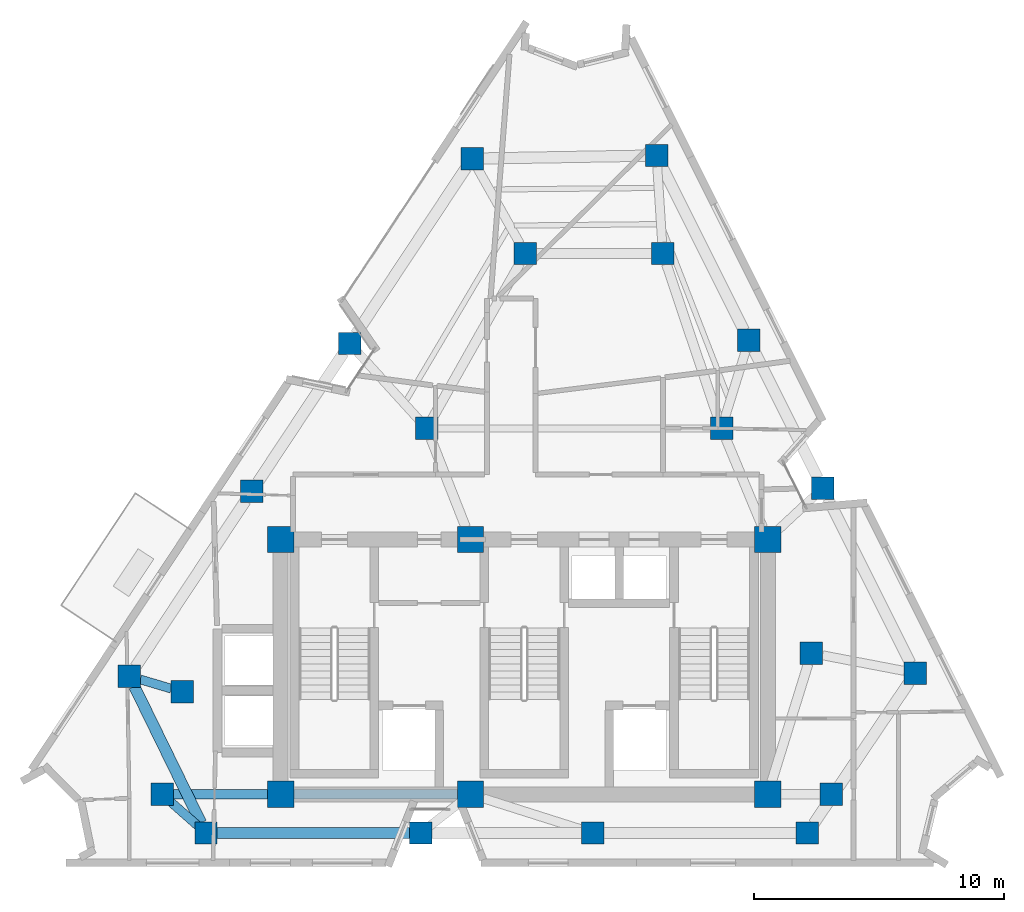
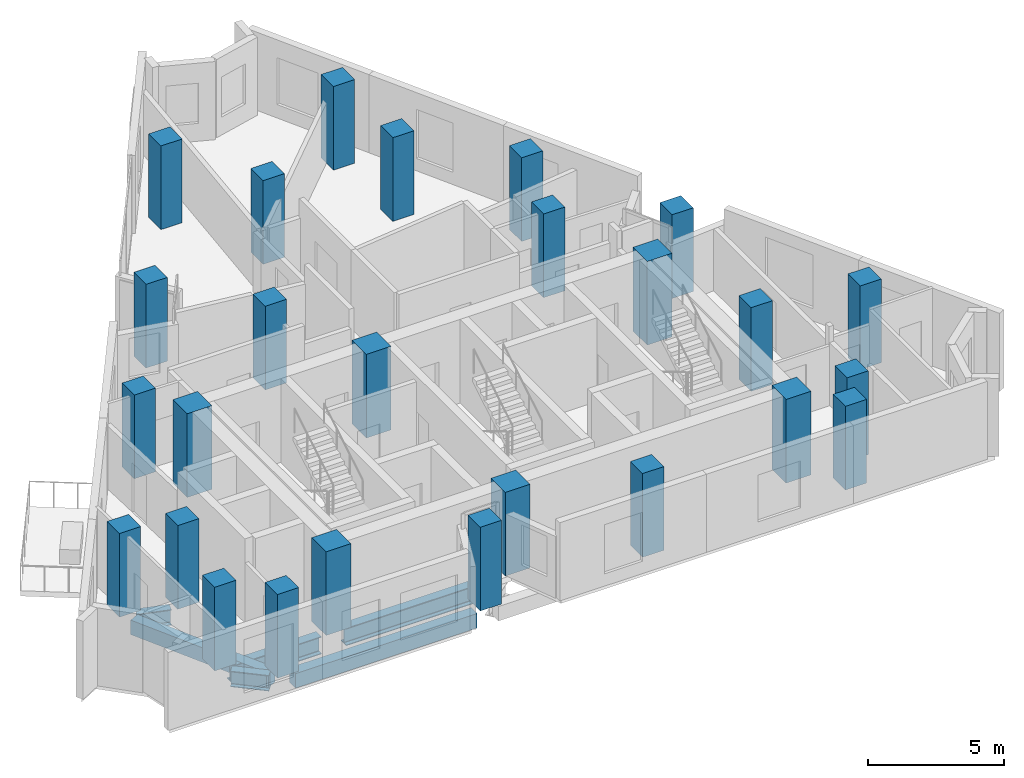
# One storey, part 1 of 10: 26 columns, 6 beams.
"""IFC4 building model written with IfcOpenShell, lengths in metres."""

from ifc_helpers import new_model, si_unit, direction, frame, origin, origin_2d, place, context, subcontext, project, spatial, rectangle, i_section, extrude, material, material_profile, profile_set, type_object, element, save


model = new_model("IFC4")

# Units and contexts
model_context = context("Model", 3, precision=1e-05, world=origin(), true_north=direction((0.0, 1.0)))
body_context = subcontext(model_context, "Body", "Model", "MODEL_VIEW")
ifc_project = project(units=[si_unit("LENGTHUNIT", "METRE"), si_unit("AREAUNIT", "SQUARE_METRE"), si_unit("VOLUMEUNIT", "CUBIC_METRE"), si_unit("PLANEANGLEUNIT", "RADIAN"), si_unit("MASSUNIT", "GRAM", prefix="KILO")], contexts=[model_context])

# Site, building, storey
site_placement = place(None, origin())
site = spatial("IfcSite", under=ifc_project, at=site_placement, CompositionType="ELEMENT")
building_placement = place(site_placement, origin())
building = spatial("IfcBuilding", under=site, at=building_placement, Name="Almagre Mirador Tower", CompositionType="ELEMENT")
storey_placement = place(building_placement, frame((0.0, 0.0, 255.75)))
storey = spatial("IfcBuildingStorey", under=building, at=storey_placement, Name="L66", CompositionType="ELEMENT", Elevation=255.75)

# Columns
ifc_material_1 = material(Name="Concrete C60/75", Category="concrete")
ifc_material_profile_1 = material_profile(ifc_material_1, rectangle(XDim=1.050048828125, YDim=1.050048828125, at=origin_2d()), Name="RC1050X1050")
ifc_profile_set_1 = profile_set([ifc_material_profile_1], Name="Concrete C60/75")
column_type_1 = type_object("IfcColumnType", Name="COL-RC1050", PredefinedType="COLUMN", material=ifc_profile_set_1)
for number, where, z_axis, x_axis, name in (
    (1, (27.550048828125, 4.550048828125, 0.0), (0.0, 0.0, 1.0), (1.0, 0.0, 0.0), "L66 core spine column CC1"),
    (2, (35.14990234375, 4.550048828125, 0.0), (0.0, 0.0, 1.0), (1.0, 0.0, 0.0), "L66 core spine column CC2"),
    (3, (47.050048828125, 4.550048828125, 0.0), (0.0, 0.0, 1.0), (1.0, 0.0, 0.0), "L66 core spine column CC3"),
    (4, (27.550048828125, 14.75, 0.0), (0.0, 0.0, 1.0), (1.0, 0.0, 0.0), "L66 core spine column CC4"),
    (5, (35.14990234375, 14.75, 0.0), (0.0, 0.0, 1.0), (1.0, 0.0, 0.0), "L66 core spine column CC5"),
    (6, (47.050048828125, 14.75, 0.0), (0.0, 0.0, 1.0), (1.0, 0.0, 0.0), "L66 core spine column CC6"),
):
    element("IfcColumn", number, at=place(storey_placement, frame(where, z_axis=z_axis, x_axis=x_axis)), inside=storey, type_object=column_type_1, Name=name, PredefinedType="COLUMN", context=body_context, shape_type="SweptSolid", body=[
        extrude(rectangle(XDim=1.050048828125, YDim=1.050048828125, at=origin_2d()), origin(), (0.0, 0.0, 1.0), 3.75),
    ])
ifc_material_2 = material(Name="Concrete C60/75", Category="concrete")
ifc_material_profile_2 = material_profile(ifc_material_2, rectangle(XDim=0.89990234375, YDim=0.89990234375, at=origin_2d()), Name="RC900X900")
ifc_profile_set_2 = profile_set([ifc_material_profile_2], Name="Concrete C60/75")
column_type_2 = type_object("IfcColumnType", Name="COL-RC900", PredefinedType="COLUMN", material=ifc_profile_set_2)
for number, where, z_axis, x_axis, name in (
    (7, (22.800048828125, 4.550048828125, 0.0), (0.0, 0.0, 1.0), (1.0, 0.0, 0.0), "L66 interior transfer column MC1"),
    (8, (49.60009765625, 4.550048828125, 0.0), (0.0, 0.0, 1.0), (1.0, 0.0, 0.0), "L66 interior transfer column MC2"),
    (9, (48.800048828125, 10.199951171875, 0.0), (0.0, 0.0, 1.0), (1.0, 0.0, 0.0), "L66 interior transfer column MC3"),
    (10, (45.199951171875, 19.199951171875, 0.0), (0.0, 0.0, 1.0), (1.0, 0.0, 0.0), "L66 interior transfer column MC5"),
    (11, (42.85009765625, 26.199951171875, 0.0), (0.0, 0.0, 1.0), (1.0, 0.0, 0.0), "L66 interior transfer column MC6"),
    (12, (37.35009765625, 26.199951171875, 0.0), (0.0, 0.0, 1.0), (1.0, 0.0, 0.0), "L66 interior transfer column MC7"),
    (13, (33.39990234375, 19.199951171875, 0.0), (0.0, 0.0, 1.0), (1.0, 0.0, 0.0), "L66 interior transfer column MC8"),
    (14, (23.60009765625, 8.64990234375, 0.0), (0.0, 0.0, 1.0), (1.0, 0.0, 0.0), "L66 interior transfer column MC10"),
    (15, (24.56005859375, 3.0, 0.0), (0.0, 0.0, 1.0), (1.0, 0.0, 0.0), "L66 perimeter column PC01"),
    (16, (33.159912109375, 3.0, 0.0), (0.0, 0.0, 1.0), (1.0, 0.0, 0.0), "L66 perimeter column PC02"),
    (17, (40.0400390625, 3.0, 0.0), (0.0, 0.0, 1.0), (1.0, 0.0, 0.0), "L66 perimeter column PC03"),
    (18, (48.639892578125, 3.0, 0.0), (0.0, 0.0, 1.0), (1.0, 0.0, 0.0), "L66 perimeter column PC04"),
    (19, (52.95703125, 9.403076171875, 0.0), (0.0, 0.0, 1.0), (1.0, 0.0, 0.0), "L66 perimeter column PC05"),
    (20, (49.257080078125, 16.802978515625, 0.0), (0.0, 0.0, 1.0), (1.0, 0.0, 0.0), "L66 perimeter column PC06"),
    (21, (46.297119140625, 22.722900390625, 0.0), (0.0, 0.0, 1.0), (1.0, 0.0, 0.0), "L66 perimeter column PC07"),
    (22, (42.596923828125, 30.123046875, 0.0), (0.0, 0.0, 1.0), (1.0, 0.0, 0.0), "L66 perimeter column PC08"),
    (23, (35.2109375, 29.9970703125, 0.0), (0.0, 0.0, 1.0), (1.0, 0.0, 0.0), "L66 perimeter column PC09"),
    (24, (30.31103515625, 22.596923828125, 0.0), (0.0, 0.0, 1.0), (1.0, 0.0, 0.0), "L66 perimeter column PC10"),
    (25, (26.39111328125, 16.677001953125, 0.0), (0.0, 0.0, 1.0), (1.0, 0.0, 0.0), "L66 perimeter column PC11"),
    (26, (21.490966796875, 9.277099609375, 0.0), (0.0, 0.0, 1.0), (1.0, 0.0, 0.0), "L66 perimeter column PC12"),
):
    element("IfcColumn", number, at=place(storey_placement, frame(where, z_axis=z_axis, x_axis=x_axis)), inside=storey, type_object=column_type_2, Name=name, PredefinedType="COLUMN", context=body_context, shape_type="SweptSolid", body=[
        extrude(rectangle(XDim=0.89990234375, YDim=0.89990234375, at=origin_2d()), origin(), (0.0, 0.0, 1.0), 3.75),
    ])

# Beams
ifc_material_3 = material(Name="Precast concrete C50/60", Category="concrete")
ifc_material_profile_3 = material_profile(ifc_material_3, rectangle(XDim=0.449951171875, YDim=0.64990234375, at=origin_2d()), Name="RC450X650")
ifc_profile_set_3 = profile_set([ifc_material_profile_3], Name="Precast concrete C50/60")
beam_type_1 = type_object("IfcBeamType", Name="BM-SPN-RC450X650", PredefinedType="SPANDREL", material=ifc_profile_set_3)
beam_1_placement = place(storey_placement, frame((25.010009765625, 3.0, -0.574951171875), z_axis=(1.0, 0.0, 0.0), x_axis=(0.0, 1.0, 0.0)))
element("IfcBeam", 27, at=beam_1_placement, inside=storey, type_object=beam_type_1, Name="L66 perimeter spandrel beam PC01-PC02", PredefinedType="SPANDREL", context=body_context, shape_type="SweptSolid", body=[
    extrude(rectangle(XDim=0.449951171875, YDim=0.64990234375, at=origin_2d()), origin(), (0.0, 0.0, 1.0), 7.699951171875),
])
beam_2_placement = place(storey_placement, frame((21.688720703125, 8.872802734375, -0.574951171875), z_axis=(0.439222360978, -0.898378382207, 0.0), x_axis=(0.898378382207, 0.439222360978, 0.0)))
element("IfcBeam", 28, at=beam_2_placement, inside=storey, type_object=beam_type_1, Name="L66 perimeter spandrel beam PC12-PC01", PredefinedType="SPANDREL", context=body_context, shape_type="SweptSolid", body=[
    extrude(rectangle(XDim=0.449951171875, YDim=0.64990234375, at=origin_2d()), origin(), (0.0, 0.0, 1.0), 6.087158203125),
])
ifc_material_4 = material(Name="Steel ASTM A992 Grade 50", Category="steel")
ifc_material_profile_4 = material_profile(ifc_material_4, i_section(OverallWidth=0.35791015625, OverallDepth=0.7060546875, WebThickness=0.018310546875, FlangeThickness=0.0302734375, FilletRadius=0.02197265625, at=origin_2d()), Name="W27X178")
ifc_profile_set_4 = profile_set([ifc_material_profile_4], Name="Steel ASTM A992 Grade 50")
beam_type_2 = type_object("IfcBeamType", Name="BM-STL-W27X178", PredefinedType="BEAM", material=ifc_profile_set_4)
beam_3_placement = place(storey_placement, frame((24.222412109375, 3.29736328125, -0.60302734375), z_axis=(-0.750448751167, 0.660928643555, 0.0), x_axis=(-0.660928643555, -0.750448751167, 0.0)))
element("IfcBeam", 29, at=beam_3_placement, inside=storey, type_object=beam_type_2, Name="L66 radial floor girder PC01-MC1", PredefinedType="BEAM", context=body_context, shape_type="SweptSolid", body=[
    extrude(i_section(OverallWidth=0.35791015625, OverallDepth=0.7060546875, WebThickness=0.018310546875, FlangeThickness=0.0302734375, FilletRadius=0.02197265625, at=origin_2d()), origin(), (0.0, 0.0, 1.0), 1.4453125),
])
beam_4_placement = place(storey_placement, frame((21.92236328125, 9.148681640625, -0.60302734375), z_axis=(0.958572390617, -0.284849033607, 0.0), x_axis=(0.284849033607, 0.958572390617, 0.0)))
element("IfcBeam", 30, at=beam_4_placement, inside=storey, type_object=beam_type_2, Name="L66 radial floor girder PC12-MC10", PredefinedType="BEAM", context=body_context, shape_type="SweptSolid", body=[
    extrude(i_section(OverallWidth=0.35791015625, OverallDepth=0.7060546875, WebThickness=0.018310546875, FlangeThickness=0.0302734375, FilletRadius=0.02197265625, at=origin_2d()), origin(), (0.0, 0.0, 1.0), 1.30029296875),
])
ifc_material_5 = material(Name="Steel ASTM A992 Grade 50", Category="steel")
ifc_material_profile_5 = material_profile(ifc_material_5, i_section(OverallWidth=0.384033203125, OverallDepth=0.784912109375, WebThickness=0.019775390625, FlangeThickness=0.033447265625, FilletRadius=0.02392578125, at=origin_2d()), Name="W30X211")
ifc_profile_set_5 = profile_set([ifc_material_profile_5], Name="Steel ASTM A992 Grade 50")
beam_type_3 = type_object("IfcBeamType", Name="BM-STL-W30X211", PredefinedType="BEAM", material=ifc_profile_set_5)
beam_5_placement = place(storey_placement, frame((28.074951171875, 4.550048828125, -0.642578125), z_axis=(1.0, 0.0, 0.0), x_axis=(0.0, 1.0, 0.0)))
element("IfcBeam", 31, at=beam_5_placement, inside=storey, type_object=beam_type_3, Name="L66 core tie girder CC1-CC2", PredefinedType="BEAM", context=body_context, shape_type="SweptSolid", body=[
    extrude(i_section(OverallWidth=0.384033203125, OverallDepth=0.784912109375, WebThickness=0.019775390625, FlangeThickness=0.033447265625, FilletRadius=0.02392578125, at=origin_2d()), origin(), (0.0, 0.0, 1.0), 6.550048828125),
])
beam_6_placement = place(storey_placement, frame((23.25, 4.550048828125, -0.642578125), z_axis=(1.0, 0.0, 0.0), x_axis=(0.0, 1.0, 0.0)))
element("IfcBeam", 32, at=beam_6_placement, inside=storey, type_object=beam_type_3, Name="L66 core tie girder MC1-CC1", PredefinedType="BEAM", context=body_context, shape_type="SweptSolid", body=[
    extrude(i_section(OverallWidth=0.384033203125, OverallDepth=0.784912109375, WebThickness=0.019775390625, FlangeThickness=0.033447265625, FilletRadius=0.02392578125, at=origin_2d()), origin(), (0.0, 0.0, 1.0), 3.77490234375),
])

save(model, "model.ifc")
